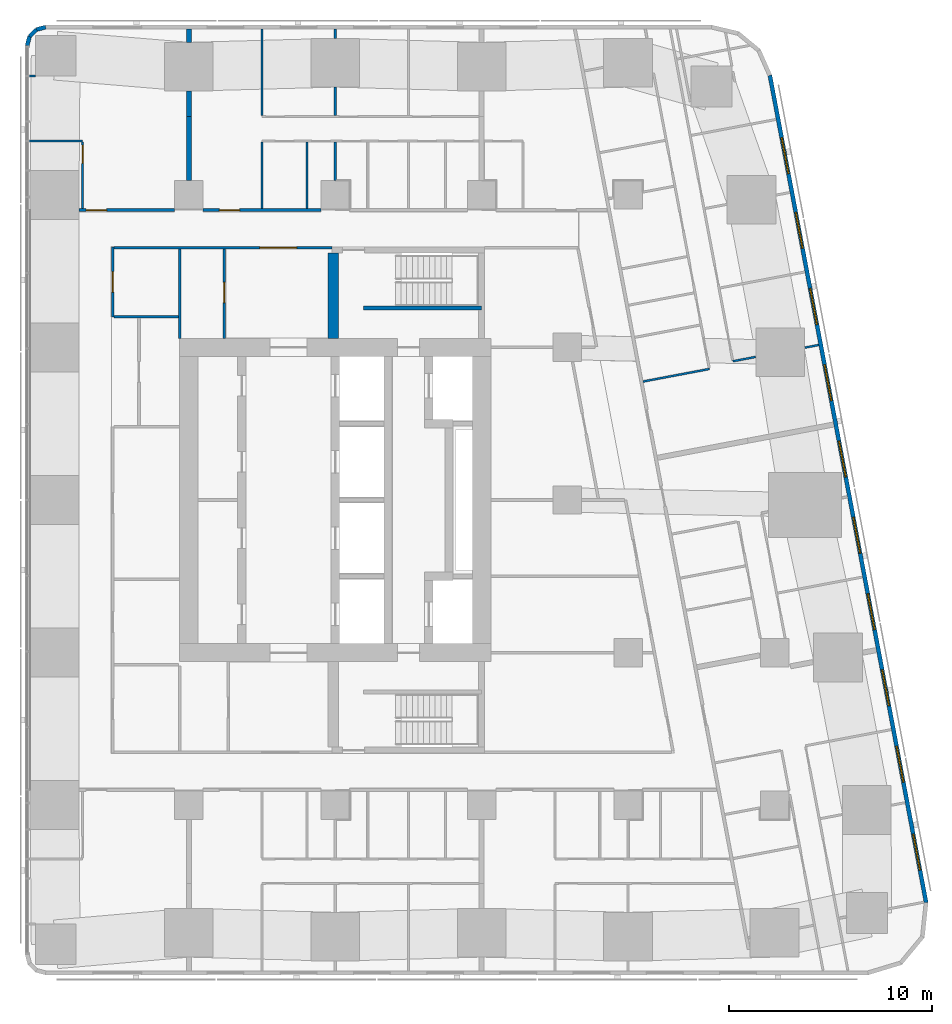
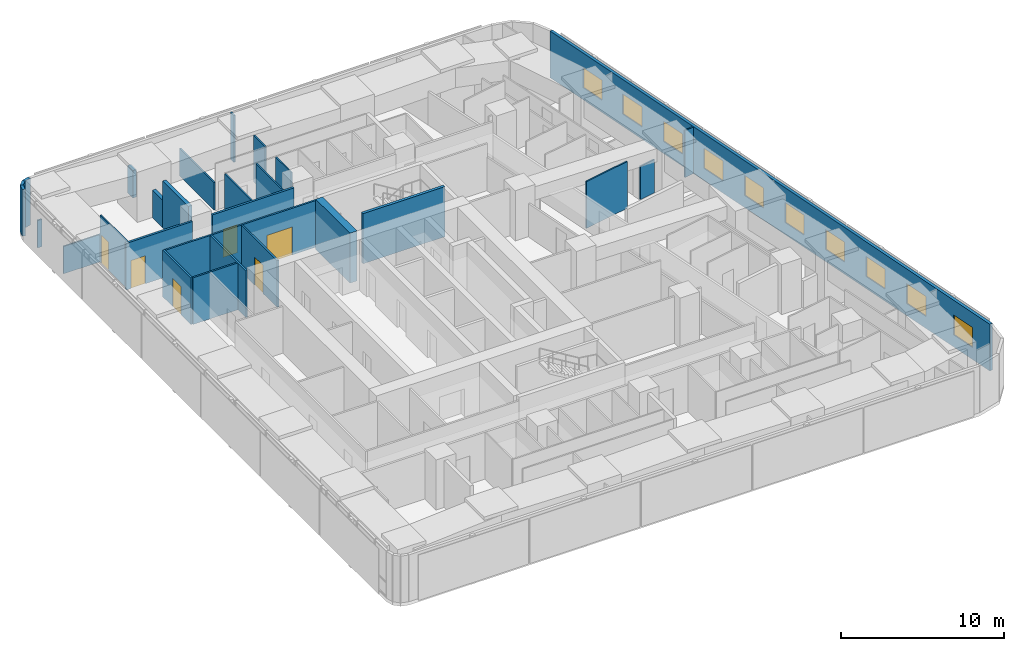
# One storey, part 15 of 19: 28 walls, 10 windows, 6 doors, 16 openings.
"""IFC4 building model written with IfcOpenShell, lengths in metres."""

from ifc_helpers import new_model, si_unit, direction, frame, frame_2d, origin, place, context, subcontext, project, spatial, rectangle, extrude, material, layer, layer_set, type_object, element, fill, save


model = new_model("IFC4")

# Units and contexts
model_context = context("Model", 3, precision=1e-05, world=origin(), true_north=direction((0.0, 1.0)))
body_context = subcontext(model_context, "Body", "Model", "MODEL_VIEW")
ifc_project = project(units=[si_unit("LENGTHUNIT", "METRE"), si_unit("AREAUNIT", "SQUARE_METRE"), si_unit("VOLUMEUNIT", "CUBIC_METRE"), si_unit("PLANEANGLEUNIT", "RADIAN"), si_unit("MASSUNIT", "GRAM", prefix="KILO")], contexts=[model_context])

# Site, building, storey
site_placement = place(None, origin())
site = spatial("IfcSite", under=ifc_project, at=site_placement, CompositionType="ELEMENT")
building_placement = place(site_placement, origin())
building = spatial("IfcBuilding", under=site, at=building_placement, Name="Sheger Commons Tower", CompositionType="ELEMENT")
storey_placement = place(building_placement, frame((0.0, 0.0, 201.199951171875)))
storey = spatial("IfcBuildingStorey", under=building, at=storey_placement, Name="L51", CompositionType="ELEMENT", Elevation=201.199951171875)

# Wall, opening, door
ifc_material_1 = material(Name="Hollow concrete block masonry, skimmed both sides", Category="masonry")
ifc_layer_1 = layer(ifc_material_1, 0.14990234375)
ifc_layer_set_1 = layer_set([ifc_layer_1], Name="CORRIDOR WALL 150")
wall_type_1 = type_object("IfcWallType", Name="CORRIDOR WALL 150", PredefinedType="SOLIDWALL", material=ifc_layer_set_1)
wall_1_placement = place(storey_placement, frame((9.0009765625, 36.75, 0.0), z_axis=(0.0, 0.0, 1.0), x_axis=(1.0, 0.0, 0.0)))
wall_1 = element("IfcWall", 1, at=wall_1_placement, inside=storey, type_object=wall_type_1, Name="Corridor wall L51", PredefinedType="SOLIDWALL", context=body_context, shape_type="SweptSolid", body=[
    extrude(rectangle(XDim=4.697998046875, YDim=0.14990234375, at=frame_2d((2.34912109375, 0.0))), origin(), (0.0, 0.0, 1.0), 3.5),
])
opening_1_placement = place(wall_1_placement, frame((0.35302734375, 0.0, 0.0)))
opening_1 = element("IfcOpeningElement", 2, at=opening_1_placement, cuts=wall_1, Name="Opening D1", PredefinedType="OPENING", context=body_context, shape_type="SweptSolid", body=[
    extrude(rectangle(XDim=1.0, YDim=2.10009765625, at=frame_2d((0.5, 1.050048828125))), frame((0.0, 0.0849609375, 0.0), z_axis=(0.0, -1.0, 0.0), x_axis=(1.0, 0.0, 0.0)), (0.0, 0.0, 1.0), 0.169921875),
])
ifc_material_2 = material(Name="Steel door set, fire rated", Category="steel")
door_type_1 = type_object("IfcDoorType", Name="FLAT ENTRANCE DOOR 1000x2100", OperationType="NOTDEFINED", PredefinedType="DOOR", material=ifc_material_2)
door_1_placement = place(opening_1_placement, origin())
door_1 = element("IfcDoor", 3, at=door_1_placement, inside=storey, type_object=door_type_1, Name="Flat entrance door", OperationType="SINGLE_SWING_LEFT", OverallHeight=2.10009765625, OverallWidth=1.0, PredefinedType="DOOR", context=body_context, shape_type="SweptSolid", body=[
    extrude(rectangle(XDim=1.0, YDim=2.10009765625, at=frame_2d((0.5, 1.050048828125))), frame((0.0, 0.02490234375, 0.0), z_axis=(0.0, -1.0, 0.0), x_axis=(1.0, 0.0, 0.0)), (0.0, 0.0, 1.0), 0.050048828125),
])
fill(opening_1, door_1)

wall_2_placement = place(storey_placement, frame((15.10107421875, 36.75, 0.0), z_axis=(0.0, 0.0, 1.0), x_axis=(1.0, 0.0, 0.0)))
wall_2 = element("IfcWall", 4, at=wall_2_placement, inside=storey, type_object=wall_type_1, Name="Corridor wall L51", PredefinedType="SOLIDWALL", context=body_context, shape_type="SweptSolid", body=[
    extrude(rectangle(XDim=5.7978515625, YDim=0.14990234375, at=frame_2d((2.89892578125, 0.0))), origin(), (0.0, 0.0, 1.0), 3.5),
])
opening_2_placement = place(wall_2_placement, frame((0.799072265625, 0.0, 0.0)))
opening_2 = element("IfcOpeningElement", 5, at=opening_2_placement, cuts=wall_2, Name="Opening D1", PredefinedType="OPENING", context=body_context, shape_type="SweptSolid", body=[
    extrude(rectangle(XDim=1.0, YDim=2.10009765625, at=frame_2d((0.5, 1.050048828125))), frame((0.0, 0.0849609375, 0.0), z_axis=(0.0, -1.0, 0.0), x_axis=(1.0, 0.0, 0.0)), (0.0, 0.0, 1.0), 0.169921875),
])
door_2_placement = place(opening_2_placement, origin())
door_2 = element("IfcDoor", 6, at=door_2_placement, inside=storey, type_object=door_type_1, Name="Flat entrance door", OperationType="SINGLE_SWING_LEFT", OverallHeight=2.10009765625, OverallWidth=1.0, PredefinedType="DOOR", context=body_context, shape_type="SweptSolid", body=[
    extrude(rectangle(XDim=1.0, YDim=2.10009765625, at=frame_2d((0.5, 1.050048828125))), frame((0.0, 0.02490234375, 0.0), z_axis=(0.0, -1.0, 0.0), x_axis=(1.0, 0.0, 0.0)), (0.0, 0.0, 1.0), 0.050048828125),
])
fill(opening_2, door_2)

# Walls
ifc_material_3 = material(Name="Dense concrete block masonry, plastered both sides (separating wall between flats)", Category="masonry")
ifc_layer_2 = layer(ifc_material_3, 0.25)
ifc_layer_set_2 = layer_set([ifc_layer_2], Name="DEMISING WALL 250")
wall_type_2 = type_object("IfcWallType", Name="DEMISING WALL 250", PredefinedType="SOLIDWALL", material=ifc_layer_set_2)
wall_3_placement = place(storey_placement, frame((14.39990234375, 41.35009765625, 0.0), z_axis=(0.0, 0.0, 1.0), x_axis=(0.0, 1.0, 0.0)))
element("IfcWall", 7, at=wall_3_placement, inside=storey, type_object=wall_type_2, Name="Demising wall L51", PredefinedType="SOLIDWALL", context=body_context, shape_type="SweptSolid", body=[
    extrude(rectangle(XDim=1.2490234375, YDim=0.25, at=frame_2d((0.62451171875, 0.0))), origin(), (0.0, 0.0, 1.0), 2.050048828125),
])
wall_4_placement = place(storey_placement, frame((14.39990234375, 45.0009765625, 0.0), z_axis=(0.0, 0.0, 1.0), x_axis=(0.0, 1.0, 0.0)))
element("IfcWall", 8, at=wall_4_placement, inside=storey, type_object=wall_type_2, Name="Demising wall L51", PredefinedType="SOLIDWALL", context=body_context, shape_type="SweptSolid", body=[
    extrude(rectangle(XDim=0.64892578125, YDim=0.25, at=frame_2d((0.324462890625, 0.0))), origin(), (0.0, 0.0, 1.0), 2.050048828125),
])
wall_5_placement = place(storey_placement, frame((14.39990234375, 38.200927734375, 0.0), z_axis=(0.0, 0.0, 1.0), x_axis=(0.0, 1.0, 0.0)))
element("IfcWall", 9, at=wall_5_placement, inside=storey, type_object=wall_type_2, Name="Demising wall L51", PredefinedType="SOLIDWALL", context=body_context, shape_type="SweptSolid", body=[
    extrude(rectangle(XDim=3.149169921875, YDim=0.25, at=frame_2d((1.57470703125, 0.0))), origin(), (0.0, 0.0, 1.0), 3.5),
])

# Wall, openings, windows
ifc_material_4 = material(Name="Rendered concrete block masonry, dark grey", Category="masonry")
ifc_layer_3 = layer(ifc_material_4, 0.199951171875)
ifc_layer_set_3 = layer_set([ifc_layer_3], Name="FACADE WALL 200")
wall_type_3 = type_object("IfcWallType", Name="FACADE WALL 200", PredefinedType="SOLIDWALL", material=ifc_layer_set_3)
wall_6_placement = place(storey_placement, frame((50.653076171875, 2.702880859375, 0.0), z_axis=(0.0, 0.0, 1.0), x_axis=(-0.185612026696, 0.982623109613, 0.0)))
wall_6 = element("IfcWall", 10, at=wall_6_placement, inside=storey, type_object=wall_type_3, Name="Facade wall L51", PredefinedType="SOLIDWALL", context=body_context, shape_type="SweptSolid", body=[
    extrude(rectangle(XDim=41.393310546875, YDim=0.199951171875, at=frame_2d((20.69677734375, 0.0))), origin(), (0.0, 0.0, 1.0), 3.5),
])
opening_3_placement = place(wall_6_placement, frame((1.633056640625, 0.0, 0.89990234375)))
opening_3 = element("IfcOpeningElement", 11, at=opening_3_placement, cuts=wall_6, Name="Opening W2", PredefinedType="OPENING", context=body_context, shape_type="SweptSolid", body=[
    extrude(rectangle(XDim=1.800048828125, YDim=1.5, at=frame_2d((0.89990234375, 0.75))), frame((0.0, 0.10986328125, 0.0), z_axis=(0.0, -1.0, 0.0), x_axis=(1.0, 0.0, 0.0)), (0.0, 0.0, 1.0), 0.219970703125),
])
opening_4_placement = place(wall_6_placement, frame((6.031982421875, 0.0, 0.89990234375)))
opening_4 = element("IfcOpeningElement", 12, at=opening_4_placement, cuts=wall_6, Name="Opening W2", PredefinedType="OPENING", context=body_context, shape_type="SweptSolid", body=[
    extrude(rectangle(XDim=1.800048828125, YDim=1.5, at=frame_2d((0.89990234375, 0.75))), frame((0.0, 0.10986328125, 0.0), z_axis=(0.0, -1.0, 0.0), x_axis=(1.0, 0.0, 0.0)), (0.0, 0.0, 1.0), 0.219970703125),
])
opening_5_placement = place(wall_6_placement, frame((9.847900390625, 0.0, 0.89990234375)))
opening_5 = element("IfcOpeningElement", 13, at=opening_5_placement, cuts=wall_6, Name="Opening W2", PredefinedType="OPENING", context=body_context, shape_type="SweptSolid", body=[
    extrude(rectangle(XDim=1.800048828125, YDim=1.5, at=frame_2d((0.89990234375, 0.75))), frame((0.0, 0.10986328125, 0.0), z_axis=(0.0, -1.0, 0.0), x_axis=(1.0, 0.0, 0.0)), (0.0, 0.0, 1.0), 0.219970703125),
])
opening_6_placement = place(wall_6_placement, frame((13.6640625, 0.0, 0.89990234375)))
opening_6 = element("IfcOpeningElement", 14, at=opening_6_placement, cuts=wall_6, Name="Opening W2", PredefinedType="OPENING", context=body_context, shape_type="SweptSolid", body=[
    extrude(rectangle(XDim=1.800048828125, YDim=1.5, at=frame_2d((0.89990234375, 0.75))), frame((0.0, 0.10986328125, 0.0), z_axis=(0.0, -1.0, 0.0), x_axis=(1.0, 0.0, 0.0)), (0.0, 0.0, 1.0), 0.219970703125),
])
opening_7_placement = place(wall_6_placement, frame((17.48095703125, 0.0, 0.89990234375)))
opening_7 = element("IfcOpeningElement", 15, at=opening_7_placement, cuts=wall_6, Name="Opening W2", PredefinedType="OPENING", context=body_context, shape_type="SweptSolid", body=[
    extrude(rectangle(XDim=1.800048828125, YDim=1.5, at=frame_2d((0.89990234375, 0.75))), frame((0.0, 0.10986328125, 0.0), z_axis=(0.0, -1.0, 0.0), x_axis=(1.0, 0.0, 0.0)), (0.0, 0.0, 1.0), 0.219970703125),
])
opening_8_placement = place(wall_6_placement, frame((21.297119140625, 0.0, 0.89990234375)))
opening_8 = element("IfcOpeningElement", 16, at=opening_8_placement, cuts=wall_6, Name="Opening W2", PredefinedType="OPENING", context=body_context, shape_type="SweptSolid", body=[
    extrude(rectangle(XDim=1.800048828125, YDim=1.5, at=frame_2d((0.89990234375, 0.75))), frame((0.0, 0.10986328125, 0.0), z_axis=(0.0, -1.0, 0.0), x_axis=(1.0, 0.0, 0.0)), (0.0, 0.0, 1.0), 0.219970703125),
])
opening_9_placement = place(wall_6_placement, frame((25.113037109375, 0.0, 0.89990234375)))
opening_9 = element("IfcOpeningElement", 17, at=opening_9_placement, cuts=wall_6, Name="Opening W2", PredefinedType="OPENING", context=body_context, shape_type="SweptSolid", body=[
    extrude(rectangle(XDim=1.800048828125, YDim=1.5, at=frame_2d((0.89990234375, 0.75))), frame((0.0, 0.10986328125, 0.0), z_axis=(0.0, -1.0, 0.0), x_axis=(1.0, 0.0, 0.0)), (0.0, 0.0, 1.0), 0.219970703125),
])
opening_10_placement = place(wall_6_placement, frame((28.929931640625, 0.0, 0.89990234375)))
opening_10 = element("IfcOpeningElement", 18, at=opening_10_placement, cuts=wall_6, Name="Opening W2", PredefinedType="OPENING", context=body_context, shape_type="SweptSolid", body=[
    extrude(rectangle(XDim=1.800048828125, YDim=1.5, at=frame_2d((0.89990234375, 0.75))), frame((0.0, 0.10986328125, 0.0), z_axis=(0.0, -1.0, 0.0), x_axis=(1.0, 0.0, 0.0)), (0.0, 0.0, 1.0), 0.219970703125),
])
opening_11_placement = place(wall_6_placement, frame((32.74609375, 0.0, 0.89990234375)))
opening_11 = element("IfcOpeningElement", 19, at=opening_11_placement, cuts=wall_6, Name="Opening W2", PredefinedType="OPENING", context=body_context, shape_type="SweptSolid", body=[
    extrude(rectangle(XDim=1.800048828125, YDim=1.5, at=frame_2d((0.89990234375, 0.75))), frame((0.0, 0.10986328125, 0.0), z_axis=(0.0, -1.0, 0.0), x_axis=(1.0, 0.0, 0.0)), (0.0, 0.0, 1.0), 0.219970703125),
])
opening_12_placement = place(wall_6_placement, frame((36.48095703125, 0.0, 0.89990234375)))
opening_12 = element("IfcOpeningElement", 20, at=opening_12_placement, cuts=wall_6, Name="Opening W2", PredefinedType="OPENING", context=body_context, shape_type="SweptSolid", body=[
    extrude(rectangle(XDim=1.800048828125, YDim=1.5, at=frame_2d((0.89990234375, 0.75))), frame((0.0, 0.10986328125, 0.0), z_axis=(0.0, -1.0, 0.0), x_axis=(1.0, 0.0, 0.0)), (0.0, 0.0, 1.0), 0.219970703125),
])
ifc_material_5 = material(Name="Black aluminium frame, dark tinted double glazing", Category="aluminium")
window_type = type_object("IfcWindowType", Name="WINDOW W2 1800x1500", PartitioningType="SINGLE_PANEL", PredefinedType="WINDOW", material=ifc_material_5)
window_1_placement = place(opening_3_placement, origin())
window_1 = element("IfcWindow", 21, at=window_1_placement, inside=storey, type_object=window_type, Name="Window W2 1800X1500", OverallHeight=1.5, OverallWidth=1.800048828125, PartitioningType="SINGLE_PANEL", PredefinedType="WINDOW", context=body_context, shape_type="SweptSolid", body=[
    extrude(rectangle(XDim=1.800048828125, YDim=1.5, at=frame_2d((0.89990234375, 0.75))), frame((0.0, 0.030029296875, 0.0), z_axis=(0.0, -1.0, 0.0), x_axis=(1.0, 0.0, 0.0)), (0.0, 0.0, 1.0), 0.06005859375),
])
fill(opening_3, window_1)
window_2_placement = place(opening_4_placement, origin())
window_2 = element("IfcWindow", 22, at=window_2_placement, inside=storey, type_object=window_type, Name="Window W2 1800X1500", OverallHeight=1.5, OverallWidth=1.800048828125, PartitioningType="SINGLE_PANEL", PredefinedType="WINDOW", context=body_context, shape_type="SweptSolid", body=[
    extrude(rectangle(XDim=1.800048828125, YDim=1.5, at=frame_2d((0.89990234375, 0.75))), frame((0.0, 0.030029296875, 0.0), z_axis=(0.0, -1.0, 0.0), x_axis=(1.0, 0.0, 0.0)), (0.0, 0.0, 1.0), 0.06005859375),
])
fill(opening_4, window_2)
window_3_placement = place(opening_5_placement, origin())
window_3 = element("IfcWindow", 23, at=window_3_placement, inside=storey, type_object=window_type, Name="Window W2 1800X1500", OverallHeight=1.5, OverallWidth=1.800048828125, PartitioningType="SINGLE_PANEL", PredefinedType="WINDOW", context=body_context, shape_type="SweptSolid", body=[
    extrude(rectangle(XDim=1.800048828125, YDim=1.5, at=frame_2d((0.89990234375, 0.75))), frame((0.0, 0.030029296875, 0.0), z_axis=(0.0, -1.0, 0.0), x_axis=(1.0, 0.0, 0.0)), (0.0, 0.0, 1.0), 0.06005859375),
])
fill(opening_5, window_3)
window_4_placement = place(opening_6_placement, origin())
window_4 = element("IfcWindow", 24, at=window_4_placement, inside=storey, type_object=window_type, Name="Window W2 1800X1500", OverallHeight=1.5, OverallWidth=1.800048828125, PartitioningType="SINGLE_PANEL", PredefinedType="WINDOW", context=body_context, shape_type="SweptSolid", body=[
    extrude(rectangle(XDim=1.800048828125, YDim=1.5, at=frame_2d((0.89990234375, 0.75))), frame((0.0, 0.030029296875, 0.0), z_axis=(0.0, -1.0, 0.0), x_axis=(1.0, 0.0, 0.0)), (0.0, 0.0, 1.0), 0.06005859375),
])
fill(opening_6, window_4)
window_5_placement = place(opening_7_placement, origin())
window_5 = element("IfcWindow", 25, at=window_5_placement, inside=storey, type_object=window_type, Name="Window W2 1800X1500", OverallHeight=1.5, OverallWidth=1.800048828125, PartitioningType="SINGLE_PANEL", PredefinedType="WINDOW", context=body_context, shape_type="SweptSolid", body=[
    extrude(rectangle(XDim=1.800048828125, YDim=1.5, at=frame_2d((0.89990234375, 0.75))), frame((0.0, 0.030029296875, 0.0), z_axis=(0.0, -1.0, 0.0), x_axis=(1.0, 0.0, 0.0)), (0.0, 0.0, 1.0), 0.06005859375),
])
fill(opening_7, window_5)
window_6_placement = place(opening_8_placement, origin())
window_6 = element("IfcWindow", 26, at=window_6_placement, inside=storey, type_object=window_type, Name="Window W2 1800X1500", OverallHeight=1.5, OverallWidth=1.800048828125, PartitioningType="SINGLE_PANEL", PredefinedType="WINDOW", context=body_context, shape_type="SweptSolid", body=[
    extrude(rectangle(XDim=1.800048828125, YDim=1.5, at=frame_2d((0.89990234375, 0.75))), frame((0.0, 0.030029296875, 0.0), z_axis=(0.0, -1.0, 0.0), x_axis=(1.0, 0.0, 0.0)), (0.0, 0.0, 1.0), 0.06005859375),
])
fill(opening_8, window_6)
window_7_placement = place(opening_9_placement, origin())
window_7 = element("IfcWindow", 27, at=window_7_placement, inside=storey, type_object=window_type, Name="Window W2 1800X1500", OverallHeight=1.5, OverallWidth=1.800048828125, PartitioningType="SINGLE_PANEL", PredefinedType="WINDOW", context=body_context, shape_type="SweptSolid", body=[
    extrude(rectangle(XDim=1.800048828125, YDim=1.5, at=frame_2d((0.89990234375, 0.75))), frame((0.0, 0.030029296875, 0.0), z_axis=(0.0, -1.0, 0.0), x_axis=(1.0, 0.0, 0.0)), (0.0, 0.0, 1.0), 0.06005859375),
])
fill(opening_9, window_7)
window_8_placement = place(opening_10_placement, origin())
window_8 = element("IfcWindow", 28, at=window_8_placement, inside=storey, type_object=window_type, Name="Window W2 1800X1500", OverallHeight=1.5, OverallWidth=1.800048828125, PartitioningType="SINGLE_PANEL", PredefinedType="WINDOW", context=body_context, shape_type="SweptSolid", body=[
    extrude(rectangle(XDim=1.800048828125, YDim=1.5, at=frame_2d((0.89990234375, 0.75))), frame((0.0, 0.030029296875, 0.0), z_axis=(0.0, -1.0, 0.0), x_axis=(1.0, 0.0, 0.0)), (0.0, 0.0, 1.0), 0.06005859375),
])
fill(opening_10, window_8)
window_9_placement = place(opening_11_placement, origin())
window_9 = element("IfcWindow", 29, at=window_9_placement, inside=storey, type_object=window_type, Name="Window W2 1800X1500", OverallHeight=1.5, OverallWidth=1.800048828125, PartitioningType="SINGLE_PANEL", PredefinedType="WINDOW", context=body_context, shape_type="SweptSolid", body=[
    extrude(rectangle(XDim=1.800048828125, YDim=1.5, at=frame_2d((0.89990234375, 0.75))), frame((0.0, 0.030029296875, 0.0), z_axis=(0.0, -1.0, 0.0), x_axis=(1.0, 0.0, 0.0)), (0.0, 0.0, 1.0), 0.06005859375),
])
fill(opening_11, window_9)
window_10_placement = place(opening_12_placement, origin())
window_10 = element("IfcWindow", 30, at=window_10_placement, inside=storey, type_object=window_type, Name="Window W2 1800X1500", OverallHeight=1.5, OverallWidth=1.800048828125, PartitioningType="SINGLE_PANEL", PredefinedType="WINDOW", context=body_context, shape_type="SweptSolid", body=[
    extrude(rectangle(XDim=1.800048828125, YDim=1.5, at=frame_2d((0.89990234375, 0.75))), frame((0.0, 0.030029296875, 0.0), z_axis=(0.0, -1.0, 0.0), x_axis=(1.0, 0.0, 0.0)), (0.0, 0.0, 1.0), 0.06005859375),
])
fill(opening_12, window_10)

# Walls
wall_7_placement = place(storey_placement, frame((7.363037109375, 45.75, 0.0), z_axis=(0.0, 0.0, 1.0), x_axis=(-0.965655254015, -0.259826731483, 0.0)))
element("IfcWall", 31, at=wall_7_placement, inside=storey, type_object=wall_type_3, Name="Facade wall L51", PredefinedType="SOLIDWALL", context=body_context, shape_type="SweptSolid", body=[
    extrude(rectangle(XDim=0.477294921875, YDim=0.199951171875, at=frame_2d((0.23876953125, 0.0))), origin(), (0.0, 0.0, 1.0), 3.5),
])
wall_8_placement = place(storey_placement, frame((6.902099609375, 45.6259765625, 0.0), z_axis=(0.0, 0.0, 1.0), x_axis=(-0.707369890659, -0.706843573776, 0.0)))
element("IfcWall", 32, at=wall_8_placement, inside=storey, type_object=wall_type_3, Name="Facade wall L51", PredefinedType="SOLIDWALL", context=body_context, shape_type="SweptSolid", body=[
    extrude(rectangle(XDim=0.4638671875, YDim=0.199951171875, at=frame_2d((0.23193359375, 0.0))), origin(), (0.0, 0.0, 1.0), 3.5),
])
wall_9_placement = place(storey_placement, frame((6.573974609375, 45.298095703125, 0.0), z_axis=(0.0, 0.0, 1.0), x_axis=(-0.259698463175, -0.965689757751, 0.0)))
element("IfcWall", 33, at=wall_9_placement, inside=storey, type_object=wall_type_3, Name="Facade wall L51", PredefinedType="SOLIDWALL", context=body_context, shape_type="SweptSolid", body=[
    extrude(rectangle(XDim=0.4775390625, YDim=0.199951171875, at=frame_2d((0.23876953125, 0.0))), origin(), (0.0, 0.0, 1.0), 3.5),
])
ifc_material_6 = material(Name="Gypsum board on steel studs", Category="steel")
ifc_layer_4 = layer(ifc_material_6, 0.10009765625)
ifc_layer_set_4 = layer_set([ifc_layer_4], Name="PARTITION 100")
wall_type_4 = type_object("IfcWallType", Name="PARTITION 100", PredefinedType="PARTITIONING", material=ifc_layer_set_4)
wall_10_placement = place(storey_placement, frame((45.3720703125, 30.12109375, 0.0), z_axis=(0.0, 0.0, 1.0), x_axis=(-0.98254419619, -0.186029305578, 0.0)))
element("IfcWall", 34, at=wall_10_placement, inside=storey, type_object=wall_type_4, Name="Partition L51", PredefinedType="PARTITIONING", context=body_context, shape_type="SweptSolid", body=[
    extrude(rectangle(XDim=0.6943359375, YDim=0.10009765625, at=frame_2d((0.34716796875, 0.0))), origin(), (0.0, 0.0, 1.0), 3.5),
])
wall_11_placement = place(storey_placement, frame((42.27001953125, 29.534912109375, 0.0), z_axis=(0.0, 0.0, 1.0), x_axis=(-0.982502700549, -0.186248338017, 0.0)))
element("IfcWall", 35, at=wall_11_placement, inside=storey, type_object=wall_type_4, Name="Partition L51", PredefinedType="PARTITIONING", context=body_context, shape_type="SweptSolid", body=[
    extrude(rectangle(XDim=1.14306640625, YDim=0.10009765625, at=frame_2d((0.571533203125, 0.0))), origin(), (0.0, 0.0, 1.0), 2.5),
])
wall_12_placement = place(storey_placement, frame((39.9970703125, 28.94189453125, 0.0), z_axis=(0.0, 0.0, 1.0), x_axis=(-0.982569883123, -0.185893584556, 0.0)))
element("IfcWall", 36, at=wall_12_placement, inside=storey, type_object=wall_type_4, Name="Partition L51", PredefinedType="PARTITIONING", context=body_context, shape_type="SweptSolid", body=[
    extrude(rectangle(XDim=3.323974609375, YDim=0.10009765625, at=frame_2d((1.662109375, 0.0))), origin(), (0.0, 0.0, 1.0), 3.5),
])
wall_13_placement = place(storey_placement, frame((6.85400390625, 43.345947265625, 0.0), z_axis=(0.0, 0.0, 1.0), x_axis=(-1.0, 0.0, 0.0)))
element("IfcWall", 37, at=wall_13_placement, inside=storey, type_object=wall_type_4, Name="Partition L51", PredefinedType="PARTITIONING", context=body_context, shape_type="SweptSolid", body=[
    extrude(rectangle(XDim=0.303955078125, YDim=0.10009765625, at=frame_2d((0.15185546875, 0.0))), origin(), (0.0, 0.0, 1.0), 2.050048828125),
])
wall_14_placement = place(storey_placement, frame((6.550048828125, 40.14990234375, 0.0), z_axis=(0.0, 0.0, 1.0), x_axis=(1.0, 0.0, 0.0)))
element("IfcWall", 38, at=wall_14_placement, inside=storey, type_object=wall_type_4, Name="Partition L51", PredefinedType="PARTITIONING", context=body_context, shape_type="SweptSolid", body=[
    extrude(rectangle(XDim=2.62890625, YDim=0.10009765625, at=frame_2d((1.314453125, 0.0))), origin(), (0.0, 0.0, 1.0), 2.050048828125),
])

# Wall, opening, door
wall_15_placement = place(storey_placement, frame((9.178955078125, 36.824951171875, 0.0), z_axis=(0.0, 0.0, 1.0), x_axis=(0.0, 1.0, 0.0)))
wall_15 = element("IfcWall", 39, at=wall_15_placement, inside=storey, type_object=wall_type_4, Name="Partition L51", PredefinedType="PARTITIONING", context=body_context, shape_type="SweptSolid", body=[
    extrude(rectangle(XDim=3.275146484375, YDim=0.10009765625, at=frame_2d((1.6376953125, 0.0))), origin(), (0.0, 0.0, 1.0), 3.5),
])
opening_13_placement = place(wall_15_placement, frame((2.22509765625, 0.0, 0.0)))
opening_13 = element("IfcOpeningElement", 40, at=opening_13_placement, cuts=wall_15, Name="Opening D2", PredefinedType="OPENING", context=body_context, shape_type="SweptSolid", body=[
    extrude(rectangle(XDim=0.89990234375, YDim=2.10009765625, at=frame_2d((0.449951171875, 1.050048828125))), frame((0.0, 0.06005859375, 0.0), z_axis=(0.0, -1.0, 0.0), x_axis=(1.0, 0.0, 0.0)), (0.0, 0.0, 1.0), 0.1201171875),
])
ifc_material_7 = material(Name="Timber door set", Category="wood")
door_type_2 = type_object("IfcDoorType", Name="INTERNAL DOOR 900x2100", OperationType="NOTDEFINED", PredefinedType="DOOR", material=ifc_material_7)
door_3_placement = place(opening_13_placement, origin())
door_3 = element("IfcDoor", 41, at=door_3_placement, inside=storey, type_object=door_type_2, Name="Shower room door", OperationType="SINGLE_SWING_RIGHT", OverallHeight=2.10009765625, OverallWidth=0.89990234375, PredefinedType="DOOR", context=body_context, shape_type="SweptSolid", body=[
    extrude(rectangle(XDim=0.89990234375, YDim=2.10009765625, at=frame_2d((0.449951171875, 1.050048828125))), frame((0.0, 0.02490234375, 0.0), z_axis=(0.0, -1.0, 0.0), x_axis=(1.0, 0.0, 0.0)), (0.0, 0.0, 1.0), 0.050048828125),
])
fill(opening_13, door_3)

# Walls
wall_16_placement = place(storey_placement, frame((18.0, 41.39990234375, 0.0), z_axis=(0.0, 0.0, 1.0), x_axis=(0.0, 1.0, 0.0)))
element("IfcWall", 42, at=wall_16_placement, inside=storey, type_object=wall_type_4, Name="Partition L51", PredefinedType="PARTITIONING", context=body_context, shape_type="SweptSolid", body=[
    extrude(rectangle(XDim=4.25, YDim=0.10009765625, at=frame_2d((2.125, 0.0))), origin(), (0.0, 0.0, 1.0), 2.050048828125),
])
wall_17_placement = place(storey_placement, frame((21.60009765625, 41.39990234375, 0.0), z_axis=(0.0, 0.0, 1.0), x_axis=(0.0, 1.0, 0.0)))
element("IfcWall", 43, at=wall_17_placement, inside=storey, type_object=wall_type_4, Name="Partition L51", PredefinedType="PARTITIONING", context=body_context, shape_type="SweptSolid", body=[
    extrude(rectangle(XDim=1.399169921875, YDim=0.10009765625, at=frame_2d((0.69970703125, 0.0))), origin(), (0.0, 0.0, 1.0), 3.5),
])
wall_18_placement = place(storey_placement, frame((21.60009765625, 45.200927734375, 0.0), z_axis=(0.0, 0.0, 1.0), x_axis=(0.0, 1.0, 0.0)))
element("IfcWall", 44, at=wall_18_placement, inside=storey, type_object=wall_type_4, Name="Partition L51", PredefinedType="PARTITIONING", context=body_context, shape_type="SweptSolid", body=[
    extrude(rectangle(XDim=0.448974609375, YDim=0.10009765625, at=frame_2d((0.224609375, 0.0))), origin(), (0.0, 0.0, 1.0), 3.5),
])
wall_19_placement = place(storey_placement, frame((18.0, 36.824951171875, 0.0), z_axis=(0.0, 0.0, 1.0), x_axis=(0.0, 1.0, 0.0)))
element("IfcWall", 45, at=wall_19_placement, inside=storey, type_object=wall_type_4, Name="Partition L51", PredefinedType="PARTITIONING", context=body_context, shape_type="SweptSolid", body=[
    extrude(rectangle(XDim=3.275146484375, YDim=0.10009765625, at=frame_2d((1.6376953125, 0.0))), origin(), (0.0, 0.0, 1.0), 3.5),
])
wall_20_placement = place(storey_placement, frame((21.60009765625, 38.200927734375, 0.0), z_axis=(0.0, 0.0, 1.0), x_axis=(0.0, 1.0, 0.0)))
element("IfcWall", 46, at=wall_20_placement, inside=storey, type_object=wall_type_4, Name="Partition L51", PredefinedType="PARTITIONING", context=body_context, shape_type="SweptSolid", body=[
    extrude(rectangle(XDim=1.899169921875, YDim=0.10009765625, at=frame_2d((0.94970703125, 0.0))), origin(), (0.0, 0.0, 1.0), 3.5),
])
wall_21_placement = place(storey_placement, frame((20.2099609375, 36.824951171875, 0.0), z_axis=(0.0, 0.0, 1.0), x_axis=(0.0, 1.0, 0.0)))
element("IfcWall", 47, at=wall_21_placement, inside=storey, type_object=wall_type_4, Name="Partition L51", PredefinedType="PARTITIONING", context=body_context, shape_type="SweptSolid", body=[
    extrude(rectangle(XDim=3.275146484375, YDim=0.10009765625, at=frame_2d((1.6376953125, 0.0))), origin(), (0.0, 0.0, 1.0), 3.5),
])

# Wall, opening, door
ifc_material_8 = material(Name="Gypsum board on steel studs, two layers each side, fire rated", Category="steel")
ifc_layer_5 = layer(ifc_material_8, 0.125)
ifc_layer_set_5 = layer_set([ifc_layer_5], Name="SERVICE WALL 125")
wall_type_5 = type_object("IfcWallType", Name="SERVICE WALL 125", PredefinedType="PARTITIONING", material=ifc_layer_set_5)
wall_22_placement = place(storey_placement, frame((10.64990234375, 31.5, 0.0), z_axis=(0.0, 0.0, 1.0), x_axis=(0.0, 1.0, 0.0)))
wall_22 = element("IfcWall", 48, at=wall_22_placement, inside=storey, type_object=wall_type_5, Name="Service room wall L51", PredefinedType="PARTITIONING", context=body_context, shape_type="SweptSolid", body=[
    extrude(rectangle(XDim=3.449951171875, YDim=0.125, at=frame_2d((1.72509765625, 0.0))), origin(), (0.0, 0.0, 1.0), 3.5),
])
opening_14_placement = place(wall_22_placement, frame((1.22509765625, 0.0, 0.0)))
opening_14 = element("IfcOpeningElement", 49, at=opening_14_placement, cuts=wall_22, Name="Opening D4", PredefinedType="OPENING", context=body_context, shape_type="SweptSolid", body=[
    extrude(rectangle(XDim=1.0, YDim=2.10009765625, at=frame_2d((0.5, 1.050048828125))), frame((0.0, 0.072509765625, 0.0), z_axis=(0.0, -1.0, 0.0), x_axis=(1.0, 0.0, 0.0)), (0.0, 0.0, 1.0), 0.14501953125),
])
ifc_material_9 = material(Name="Steel door set, fire rated", Category="steel")
door_type_3 = type_object("IfcDoorType", Name="SERVICE DOOR 1000x2100", OperationType="NOTDEFINED", PredefinedType="DOOR", material=ifc_material_9)
door_4_placement = place(opening_14_placement, origin())
door_4 = element("IfcDoor", 50, at=door_4_placement, inside=storey, type_object=door_type_3, Name="Cleaner's store door", OperationType="SINGLE_SWING_RIGHT", OverallHeight=2.10009765625, OverallWidth=1.0, PredefinedType="DOOR", context=body_context, shape_type="SweptSolid", body=[
    extrude(rectangle(XDim=1.0, YDim=2.10009765625, at=frame_2d((0.5, 1.050048828125))), frame((0.0, 0.02490234375, 0.0), z_axis=(0.0, -1.0, 0.0), x_axis=(1.0, 0.0, 0.0)), (0.0, 0.0, 1.0), 0.050048828125),
])
fill(opening_14, door_4)

# Walls
wall_23_placement = place(storey_placement, frame((10.712890625, 31.5, 0.0), z_axis=(0.0, 0.0, 1.0), x_axis=(1.0, 0.0, 0.0)))
element("IfcWall", 51, at=wall_23_placement, inside=storey, type_object=wall_type_5, Name="Service room wall L51", PredefinedType="PARTITIONING", context=body_context, shape_type="SweptSolid", body=[
    extrude(rectangle(XDim=3.175048828125, YDim=0.125, at=frame_2d((1.58740234375, 0.0))), origin(), (0.0, 0.0, 1.0), 3.5),
])
wall_24_placement = place(storey_placement, frame((13.949951171875, 30.449951171875, 0.0), z_axis=(0.0, 0.0, 1.0), x_axis=(0.0, 1.0, 0.0)))
element("IfcWall", 52, at=wall_24_placement, inside=storey, type_object=wall_type_5, Name="Service room wall L51", PredefinedType="PARTITIONING", context=body_context, shape_type="SweptSolid", body=[
    extrude(rectangle(XDim=4.386962890625, YDim=0.125, at=frame_2d((2.193359375, 0.0))), origin(), (0.0, 0.0, 1.0), 3.5),
])

# Wall, opening, door
wall_25_placement = place(storey_placement, frame((10.712890625, 34.89990234375, 0.0), z_axis=(0.0, 0.0, 1.0), x_axis=(1.0, 0.0, 0.0)))
wall_25 = element("IfcWall", 53, at=wall_25_placement, inside=storey, type_object=wall_type_5, Name="Service room wall L51", PredefinedType="PARTITIONING", context=body_context, shape_type="SweptSolid", body=[
    extrude(rectangle(XDim=10.737060546875, YDim=0.125, at=frame_2d((5.36865234375, 0.0))), origin(), (0.0, 0.0, 1.0), 3.5),
])
opening_15_placement = place(wall_25_placement, frame((7.18701171875, 0.0, 0.0)))
opening_15 = element("IfcOpeningElement", 54, at=opening_15_placement, cuts=wall_25, Name="Opening D6", PredefinedType="OPENING", context=body_context, shape_type="SweptSolid", body=[
    extrude(rectangle(XDim=1.800048828125, YDim=2.10009765625, at=frame_2d((0.89990234375, 1.050048828125))), frame((0.0, 0.072509765625, 0.0), z_axis=(0.0, -1.0, 0.0), x_axis=(1.0, 0.0, 0.0)), (0.0, 0.0, 1.0), 0.14501953125),
])
ifc_material_10 = material(Name="Steel door set, fire rated", Category="steel")
door_type_4 = type_object("IfcDoorType", Name="LOBBY DOUBLE DOOR 1800x2100", OperationType="DOUBLE_DOOR_SINGLE_SWING", PredefinedType="DOOR", material=ifc_material_10)
door_5_placement = place(opening_15_placement, origin())
door_5 = element("IfcDoor", 55, at=door_5_placement, inside=storey, type_object=door_type_4, Name="Lift lobby north door", OperationType="DOUBLE_DOOR_SINGLE_SWING", OverallHeight=2.10009765625, OverallWidth=1.800048828125, PredefinedType="DOOR", context=body_context, shape_type="SweptSolid", body=[
    extrude(rectangle(XDim=1.800048828125, YDim=2.10009765625, at=frame_2d((0.89990234375, 1.050048828125))), frame((0.0, 0.02490234375, 0.0), z_axis=(0.0, -1.0, 0.0), x_axis=(1.0, 0.0, 0.0)), (0.0, 0.0, 1.0), 0.050048828125),
])
fill(opening_15, door_5)

wall_26_placement = place(storey_placement, frame((16.14990234375, 30.449951171875, 0.0), z_axis=(0.0, 0.0, 1.0), x_axis=(0.0, 1.0, 0.0)))
wall_26 = element("IfcWall", 56, at=wall_26_placement, inside=storey, type_object=wall_type_5, Name="Service room wall L51", PredefinedType="PARTITIONING", context=body_context, shape_type="SweptSolid", body=[
    extrude(rectangle(XDim=4.386962890625, YDim=0.125, at=frame_2d((2.193359375, 0.0))), origin(), (0.0, 0.0, 1.0), 3.5),
])
opening_16_placement = place(wall_26_placement, frame((1.75, 0.0, 0.0)))
opening_16 = element("IfcOpeningElement", 57, at=opening_16_placement, cuts=wall_26, Name="Opening D4", PredefinedType="OPENING", context=body_context, shape_type="SweptSolid", body=[
    extrude(rectangle(XDim=1.0, YDim=2.10009765625, at=frame_2d((0.5, 1.050048828125))), frame((0.0, 0.072509765625, 0.0), z_axis=(0.0, -1.0, 0.0), x_axis=(1.0, 0.0, 0.0)), (0.0, 0.0, 1.0), 0.14501953125),
])
door_6_placement = place(opening_16_placement, origin())
door_6 = element("IfcDoor", 58, at=door_6_placement, inside=storey, type_object=door_type_3, Name="Telecom room door", OperationType="SINGLE_SWING_RIGHT", OverallHeight=2.10009765625, OverallWidth=1.0, PredefinedType="DOOR", context=body_context, shape_type="SweptSolid", body=[
    extrude(rectangle(XDim=1.0, YDim=2.10009765625, at=frame_2d((0.5, 1.050048828125))), frame((0.0, 0.02490234375, 0.0), z_axis=(0.0, -1.0, 0.0), x_axis=(1.0, 0.0, 0.0)), (0.0, 0.0, 1.0), 0.050048828125),
])
fill(opening_16, door_6)

# Walls
ifc_material_11 = material(Name="Concrete C50/60", Category="concrete")
ifc_layer_6 = layer(ifc_material_11, 0.5)
ifc_layer_set_6 = layer_set([ifc_layer_6], Name="STAIR CORE WALL 500")
wall_type_6 = type_object("IfcWallType", Name="STAIR CORE WALL 500", PredefinedType="SHEAR", material=ifc_layer_set_6)
wall_27_placement = place(storey_placement, frame((21.5, 30.449951171875, 0.0), z_axis=(0.0, 0.0, 1.0), x_axis=(0.0, 1.0, 0.0)))
element("IfcWall", 59, at=wall_27_placement, inside=storey, type_object=wall_type_6, Name="STW-L51-S2W", PredefinedType="SHEAR", context=body_context, shape_type="SweptSolid", body=[
    extrude(rectangle(XDim=4.199951171875, YDim=0.5, at=frame_2d((2.10009765625, 0.0))), origin(), (0.0, 0.0, 1.0), 3.75),
])
ifc_material_12 = material(Name="Concrete C50/60", Category="concrete")
ifc_layer_7 = layer(ifc_material_12, 0.199951171875)
ifc_layer_set_7 = layer_set([ifc_layer_7], Name="STAIR SPINE WALL 200")
wall_type_7 = type_object("IfcWallType", Name="STAIR SPINE WALL 200", PredefinedType="SHEAR", material=ifc_layer_set_7)
wall_28_placement = place(storey_placement, frame((23.0, 31.949951171875, 0.0), z_axis=(0.0, 0.0, 1.0), x_axis=(1.0, 0.0, 0.0)))
element("IfcWall", 60, at=wall_28_placement, inside=storey, type_object=wall_type_7, Name="Stair spine wall L51", PredefinedType="SHEAR", context=body_context, shape_type="SweptSolid", body=[
    extrude(rectangle(XDim=5.800048828125, YDim=0.199951171875, at=frame_2d((2.89990234375, 0.0))), origin(), (0.0, 0.0, 1.0), 3.75),
])

save(model, "model.ifc")
